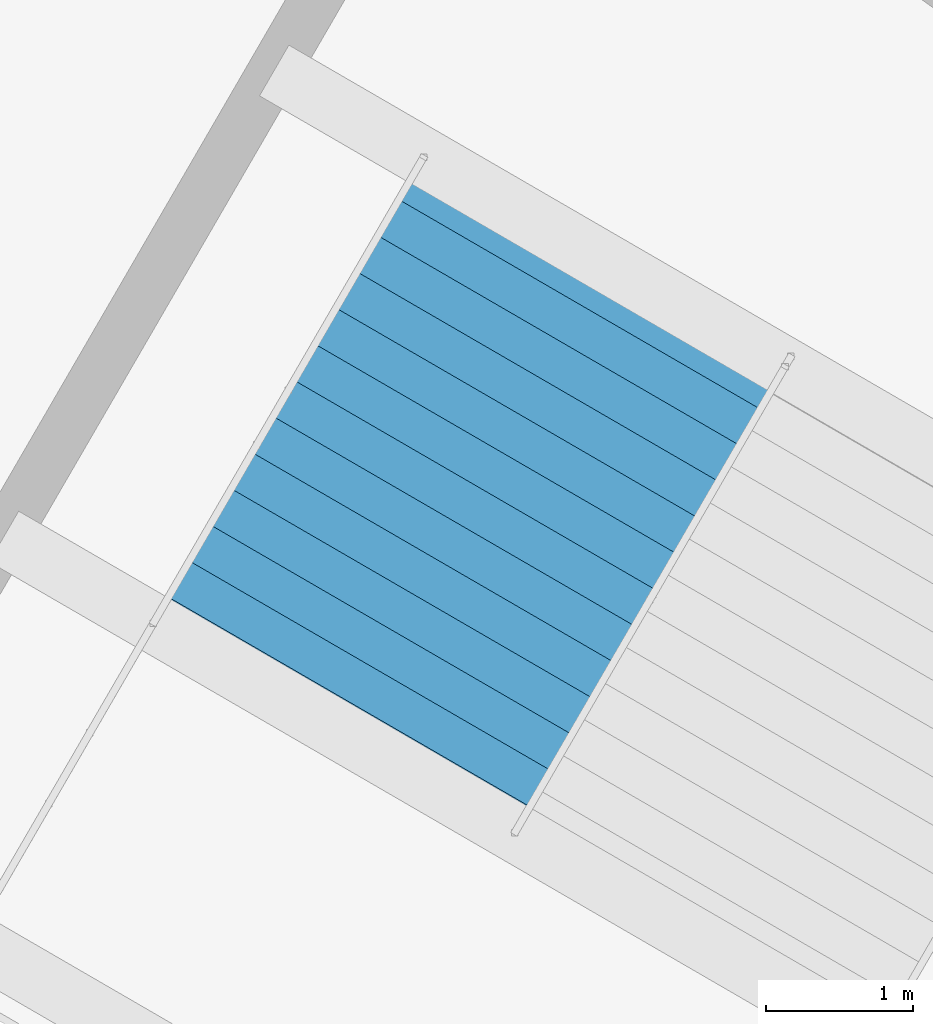
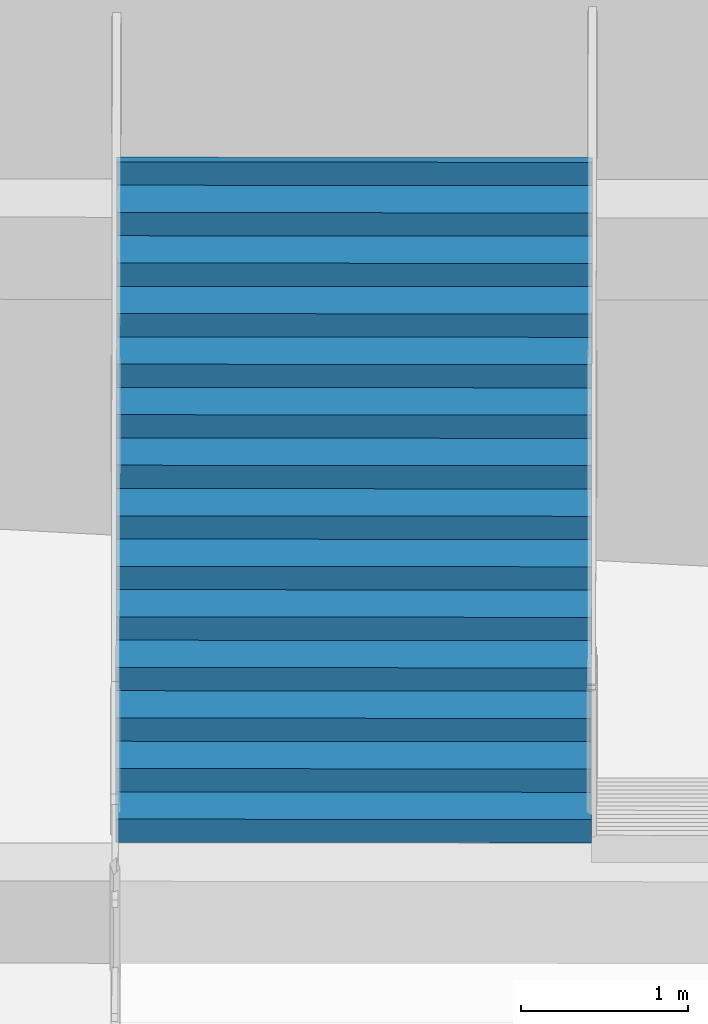
# One storey, part 154 of 171: 1 stair flight, 1 element without a shape of its own.
"""IFC4 building model written with IfcOpenShell, lengths in metres."""

from ifc_helpers import new_model, si_unit, direction, frame, origin, place, context, subcontext, project, spatial, polygons, material, type_object, element, aggregate, save


model = new_model("IFC4")

# Units and contexts
model_context = context("Model", 3, precision=1e-05, world=origin(), true_north=direction((0.0, 1.0)))
body_context = subcontext(model_context, "Body", "Model", "MODEL_VIEW")
ifc_project = project(units=[si_unit("LENGTHUNIT", "METRE"), si_unit("AREAUNIT", "SQUARE_METRE"), si_unit("VOLUMEUNIT", "CUBIC_METRE"), si_unit("PLANEANGLEUNIT", "RADIAN"), si_unit("MASSUNIT", "GRAM", prefix="KILO")], contexts=[model_context])

# Site, building, storey
site_placement = place(None, origin())
site = spatial("IfcSite", under=ifc_project, at=site_placement, CompositionType="ELEMENT")
building_placement = place(site_placement, origin())
building = spatial("IfcBuilding", under=site, at=building_placement, Name="Kazemori Nagisa Stadium", CompositionType="ELEMENT")
storey_placement = place(building_placement, frame((0.0, 0.0, 15.639892578125)))
storey = spatial("IfcBuildingStorey", under=building, at=storey_placement, Name="L03", CompositionType="ELEMENT", Elevation=15.639892578125)

# Stair, stair flight
ifc_material = material(Name="Concrete C36/45 (Fc36)", Category="concrete")
stair_type = type_object("IfcStairType", Name="Stair_CORE_28", PredefinedType="TWO_STRAIGHT_RUN_STAIR", material=ifc_material)
stair_placement = place(storey_placement, origin())
stair = element("IfcStair", 1, at=stair_placement, inside=storey, type_object=stair_type, Name="Exit stair ST08 L03", PredefinedType="TWO_STRAIGHT_RUN_STAIR")
stair_flight_type = type_object("IfcStairFlightType", Name="Flight_CORE_14", PredefinedType="STRAIGHT", material=ifc_material)
stair_flight_placement = place(storey_placement, frame((45.154296875, 148.83642578125, 2.380126953125), z_axis=(0.0, 0.0, 1.0), x_axis=(0.501579038974, 0.86511182379, 0.0)))
stair_flight = element("IfcStairFlight", 2, at=stair_flight_placement, type_object=stair_flight_type, Name="Exit stair ST08 L03 flight 2", NumberOfRisers=14, NumberOfTreads=13, PredefinedType="STRAIGHT", RiserHeight=0.17, TreadLength=0.285, context=body_context, shape_type="Tessellation", body=[
    polygons([(0.0, -1.425048828125, 0.0), (0.0, -1.425048828125, 0.169921875), (0.284912109375, -1.425048828125, 0.169921875), (0.284912109375, -1.425048828125, 0.340087890625), (0.570068359375, -1.425048828125, 0.340087890625), (0.570068359375, -1.425048828125, 0.510009765625), (0.85498046875, -1.425048828125, 0.510009765625), (0.85498046875, -1.425048828125, 0.679931640625), (1.139892578125, -1.425048828125, 0.679931640625), (1.139892578125, -1.425048828125, 0.85009765625), (1.425048828125, -1.425048828125, 0.85009765625), (1.425048828125, -1.425048828125, 1.02001953125), (1.7099609375, -1.425048828125, 1.02001953125), (1.7099609375, -1.425048828125, 1.18994140625), (1.9951171875, -1.425048828125, 1.18994140625), (1.9951171875, -1.425048828125, 1.360107421875), (2.280029296875, -1.425048828125, 1.360107421875), (2.280029296875, -1.425048828125, 1.530029296875), (2.56494140625, -1.425048828125, 1.530029296875), (2.56494140625, -1.425048828125, 1.699951171875), (2.85009765625, -1.425048828125, 1.699951171875), (2.85009765625, -1.425048828125, 1.8701171875), (3.135009765625, -1.425048828125, 1.8701171875), (3.135009765625, -1.425048828125, 2.0400390625), (3.419921875, -1.425048828125, 2.0400390625), (3.419921875, -1.425048828125, 2.2099609375), (3.705078125, -1.425048828125, 2.2099609375), (3.705078125, -1.425048828125, 2.3798828125), (3.7548828125, -1.425048828125, 2.3798828125), (3.7548828125, -1.425048828125, 2.007080078125), (3.705078125, -1.425048828125, 1.977294921875), (3.419921875, -1.425048828125, 1.80712890625), (3.135009765625, -1.425048828125, 1.63720703125), (2.85009765625, -1.425048828125, 1.46728515625), (2.56494140625, -1.425048828125, 1.297119140625), (2.280029296875, -1.425048828125, 1.127197265625), (1.9951171875, -1.425048828125, 0.957275390625), (1.7099609375, -1.425048828125, 0.787109375), (1.425048828125, -1.425048828125, 0.6171875), (1.139892578125, -1.425048828125, 0.447265625), (0.85498046875, -1.425048828125, 0.277099609375), (0.570068359375, -1.425048828125, 0.107177734375), (0.284912109375, -1.425048828125, 0.0), (0.0, -0.08544921875, 0.0), (0.0, -0.08544921875, 0.169921875), (0.284912109375, -0.08544921875, 0.169921875), (0.284912109375, -0.08544921875, 0.340087890625), (0.570068359375, -0.08544921875, 0.340087890625), (0.570068359375, -0.08544921875, 0.510009765625), (0.85498046875, -0.08544921875, 0.510009765625), (0.85498046875, -0.08544921875, 0.679931640625), (1.139892578125, -0.08544921875, 0.679931640625), (1.139892578125, -0.08544921875, 0.85009765625), (1.425048828125, -0.08544921875, 0.85009765625), (1.425048828125, -0.08544921875, 1.02001953125), (1.7099609375, -0.08544921875, 1.02001953125), (1.7099609375, -0.08544921875, 1.18994140625), (1.9951171875, -0.08544921875, 1.18994140625), (1.9951171875, -0.08544921875, 1.360107421875), (2.280029296875, -0.08544921875, 1.360107421875), (2.280029296875, -0.08544921875, 1.530029296875), (2.56494140625, -0.08544921875, 1.530029296875), (2.56494140625, -0.08544921875, 1.699951171875), (2.85009765625, -0.08544921875, 1.699951171875), (2.85009765625, -0.08544921875, 1.8701171875), (3.135009765625, -0.08544921875, 1.8701171875), (3.135009765625, -0.08544921875, 2.0400390625), (3.419921875, -0.08544921875, 2.0400390625), (3.419921875, -0.08544921875, 2.2099609375), (3.705078125, -0.08544921875, 2.2099609375), (3.705078125, -0.08544921875, 2.3798828125), (3.7548828125, -0.08544921875, 2.3798828125), (3.7548828125, -0.08544921875, 2.007080078125), (3.705078125, -0.08544921875, 1.977294921875), (3.419921875, -0.08544921875, 1.80712890625), (3.135009765625, -0.08544921875, 1.63720703125), (2.85009765625, -0.08544921875, 1.46728515625), (2.56494140625, -0.08544921875, 1.297119140625), (2.280029296875, -0.08544921875, 1.127197265625), (1.9951171875, -0.08544921875, 0.957275390625), (1.7099609375, -0.08544921875, 0.787109375), (1.425048828125, -0.08544921875, 0.6171875), (1.139892578125, -0.08544921875, 0.447265625), (0.85498046875, -0.08544921875, 0.277099609375), (0.570068359375, -0.08544921875, 0.107177734375), (0.284912109375, -0.08544921875, 0.0), (0.0, 0.0, 0.0), (0.0, 0.0, 0.169921875), (0.284912109375, 0.0, 0.169921875), (0.284912109375, 0.0, 0.340087890625), (0.570068359375, 0.0, 0.340087890625), (0.570068359375, 0.0, 0.510009765625), (0.85498046875, 0.0, 0.510009765625), (0.85498046875, 0.0, 0.679931640625), (1.139892578125, 0.0, 0.679931640625), (1.139892578125, 0.0, 0.85009765625), (1.425048828125, 0.0, 0.85009765625), (1.425048828125, 0.0, 1.02001953125), (1.7099609375, 0.0, 1.02001953125), (1.7099609375, 0.0, 1.18994140625), (1.9951171875, 0.0, 1.18994140625), (1.9951171875, 0.0, 1.360107421875), (2.280029296875, 0.0, 1.360107421875), (2.280029296875, 0.0, 1.530029296875), (2.56494140625, 0.0, 1.530029296875), (2.56494140625, 0.0, 1.699951171875), (2.85009765625, 0.0, 1.699951171875), (2.85009765625, 0.0, 1.8701171875), (3.135009765625, 0.0, 1.8701171875), (3.135009765625, 0.0, 2.0400390625), (3.419921875, 0.0, 2.0400390625), (3.419921875, 0.0, 2.2099609375), (3.705078125, 0.0, 2.2099609375), (3.705078125, 0.0, 2.3798828125), (3.7548828125, 0.0, 2.3798828125), (3.7548828125, 0.0, 2.007080078125), (3.705078125, 0.0, 1.977294921875), (3.419921875, 0.0, 1.80712890625), (3.135009765625, 0.0, 1.63720703125), (2.85009765625, 0.0, 1.46728515625), (2.56494140625, 0.0, 1.297119140625), (2.280029296875, 0.0, 1.127197265625), (1.9951171875, 0.0, 0.957275390625), (1.7099609375, 0.0, 0.787109375), (1.425048828125, 0.0, 0.6171875), (1.139892578125, 0.0, 0.447265625), (0.85498046875, 0.0, 0.277099609375), (0.570068359375, 0.0, 0.107177734375), (0.284912109375, 0.0, 0.0), (0.0, 0.08544921875, 0.0), (0.0, 0.08544921875, 0.169921875), (0.284912109375, 0.08544921875, 0.169921875), (0.284912109375, 0.08544921875, 0.340087890625), (0.570068359375, 0.08544921875, 0.340087890625), (0.570068359375, 0.08544921875, 0.510009765625), (0.85498046875, 0.08544921875, 0.510009765625), (0.85498046875, 0.08544921875, 0.679931640625), (1.139892578125, 0.08544921875, 0.679931640625), (1.139892578125, 0.08544921875, 0.85009765625), (1.425048828125, 0.08544921875, 0.85009765625), (1.425048828125, 0.08544921875, 1.02001953125), (1.7099609375, 0.08544921875, 1.02001953125), (1.7099609375, 0.08544921875, 1.18994140625), (1.9951171875, 0.08544921875, 1.18994140625), (1.9951171875, 0.08544921875, 1.360107421875), (2.280029296875, 0.08544921875, 1.360107421875), (2.280029296875, 0.08544921875, 1.530029296875), (2.56494140625, 0.08544921875, 1.530029296875), (2.56494140625, 0.08544921875, 1.699951171875), (2.85009765625, 0.08544921875, 1.699951171875), (2.85009765625, 0.08544921875, 1.8701171875), (3.135009765625, 0.08544921875, 1.8701171875), (3.135009765625, 0.08544921875, 2.0400390625), (3.419921875, 0.08544921875, 2.0400390625), (3.419921875, 0.08544921875, 2.2099609375), (3.705078125, 0.08544921875, 2.2099609375), (3.705078125, 0.08544921875, 2.3798828125), (3.7548828125, 0.08544921875, 2.3798828125), (3.7548828125, 0.08544921875, 2.007080078125), (3.705078125, 0.08544921875, 1.977294921875), (3.419921875, 0.08544921875, 1.80712890625), (3.135009765625, 0.08544921875, 1.63720703125), (2.85009765625, 0.08544921875, 1.46728515625), (2.56494140625, 0.08544921875, 1.297119140625), (2.280029296875, 0.08544921875, 1.127197265625), (1.9951171875, 0.08544921875, 0.957275390625), (1.7099609375, 0.08544921875, 0.787109375), (1.425048828125, 0.08544921875, 0.6171875), (1.139892578125, 0.08544921875, 0.447265625), (0.85498046875, 0.08544921875, 0.277099609375), (0.570068359375, 0.08544921875, 0.107177734375), (0.284912109375, 0.08544921875, 0.0), (0.0, 1.425048828125, 0.0), (0.0, 1.425048828125, 0.169921875), (0.284912109375, 1.425048828125, 0.169921875), (0.284912109375, 1.425048828125, 0.340087890625), (0.570068359375, 1.425048828125, 0.340087890625), (0.570068359375, 1.425048828125, 0.510009765625), (0.85498046875, 1.425048828125, 0.510009765625), (0.85498046875, 1.425048828125, 0.679931640625), (1.139892578125, 1.425048828125, 0.679931640625), (1.139892578125, 1.425048828125, 0.85009765625), (1.425048828125, 1.425048828125, 0.85009765625), (1.425048828125, 1.425048828125, 1.02001953125), (1.7099609375, 1.425048828125, 1.02001953125), (1.7099609375, 1.425048828125, 1.18994140625), (1.9951171875, 1.425048828125, 1.18994140625), (1.9951171875, 1.425048828125, 1.360107421875), (2.280029296875, 1.425048828125, 1.360107421875), (2.280029296875, 1.425048828125, 1.530029296875), (2.56494140625, 1.425048828125, 1.530029296875), (2.56494140625, 1.425048828125, 1.699951171875), (2.85009765625, 1.425048828125, 1.699951171875), (2.85009765625, 1.425048828125, 1.8701171875), (3.135009765625, 1.425048828125, 1.8701171875), (3.135009765625, 1.425048828125, 2.0400390625), (3.419921875, 1.425048828125, 2.0400390625), (3.419921875, 1.425048828125, 2.2099609375), (3.705078125, 1.425048828125, 2.2099609375), (3.705078125, 1.425048828125, 2.3798828125), (3.7548828125, 1.425048828125, 2.3798828125), (3.7548828125, 1.425048828125, 2.007080078125), (3.705078125, 1.425048828125, 1.977294921875), (3.419921875, 1.425048828125, 1.80712890625), (3.135009765625, 1.425048828125, 1.63720703125), (2.85009765625, 1.425048828125, 1.46728515625), (2.56494140625, 1.425048828125, 1.297119140625), (2.280029296875, 1.425048828125, 1.127197265625), (1.9951171875, 1.425048828125, 0.957275390625), (1.7099609375, 1.425048828125, 0.787109375), (1.425048828125, 1.425048828125, 0.6171875), (1.139892578125, 1.425048828125, 0.447265625), (0.85498046875, 1.425048828125, 0.277099609375), (0.570068359375, 1.425048828125, 0.107177734375), (0.284912109375, 1.425048828125, 0.0)], [[[1, 2, 45]], [[1, 45, 44]], [[2, 3, 46]], [[2, 46, 45]], [[3, 4, 47]], [[3, 47, 46]], [[4, 5, 48]], [[4, 48, 47]], [[5, 6, 49]], [[5, 49, 48]], [[6, 7, 50]], [[6, 50, 49]], [[7, 8, 51]], [[7, 51, 50]], [[8, 9, 52]], [[8, 52, 51]], [[9, 10, 53]], [[9, 53, 52]], [[10, 11, 54]], [[10, 54, 53]], [[11, 12, 55]], [[11, 55, 54]], [[12, 13, 56]], [[12, 56, 55]], [[13, 14, 57]], [[13, 57, 56]], [[14, 15, 58]], [[14, 58, 57]], [[15, 16, 59]], [[15, 59, 58]], [[16, 17, 60]], [[16, 60, 59]], [[17, 18, 61]], [[17, 61, 60]], [[18, 19, 62]], [[18, 62, 61]], [[19, 20, 63]], [[19, 63, 62]], [[20, 21, 64]], [[20, 64, 63]], [[21, 22, 65]], [[21, 65, 64]], [[22, 23, 66]], [[22, 66, 65]], [[23, 24, 67]], [[23, 67, 66]], [[24, 25, 68]], [[24, 68, 67]], [[25, 26, 69]], [[25, 69, 68]], [[26, 27, 70]], [[26, 70, 69]], [[27, 28, 71]], [[27, 71, 70]], [[28, 29, 72]], [[28, 72, 71]], [[29, 30, 73]], [[29, 73, 72]], [[30, 31, 74]], [[30, 74, 73]], [[31, 32, 75]], [[31, 75, 74]], [[32, 33, 76]], [[32, 76, 75]], [[33, 34, 77]], [[33, 77, 76]], [[34, 35, 78]], [[34, 78, 77]], [[35, 36, 79]], [[35, 79, 78]], [[36, 37, 80]], [[36, 80, 79]], [[37, 38, 81]], [[37, 81, 80]], [[38, 39, 82]], [[38, 82, 81]], [[39, 40, 83]], [[39, 83, 82]], [[40, 41, 84]], [[40, 84, 83]], [[41, 42, 85]], [[41, 85, 84]], [[42, 43, 86]], [[42, 86, 85]], [[43, 1, 44]], [[43, 44, 86]], [[44, 45, 88]], [[44, 88, 87]], [[45, 46, 89]], [[45, 89, 88]], [[46, 47, 90]], [[46, 90, 89]], [[47, 48, 91]], [[47, 91, 90]], [[48, 49, 92]], [[48, 92, 91]], [[49, 50, 93]], [[49, 93, 92]], [[50, 51, 94]], [[50, 94, 93]], [[51, 52, 95]], [[51, 95, 94]], [[52, 53, 96]], [[52, 96, 95]], [[53, 54, 97]], [[53, 97, 96]], [[54, 55, 98]], [[54, 98, 97]], [[55, 56, 99]], [[55, 99, 98]], [[56, 57, 100]], [[56, 100, 99]], [[57, 58, 101]], [[57, 101, 100]], [[58, 59, 102]], [[58, 102, 101]], [[59, 60, 103]], [[59, 103, 102]], [[60, 61, 104]], [[60, 104, 103]], [[61, 62, 105]], [[61, 105, 104]], [[62, 63, 106]], [[62, 106, 105]], [[63, 64, 107]], [[63, 107, 106]], [[64, 65, 108]], [[64, 108, 107]], [[65, 66, 109]], [[65, 109, 108]], [[66, 67, 110]], [[66, 110, 109]], [[67, 68, 111]], [[67, 111, 110]], [[68, 69, 112]], [[68, 112, 111]], [[69, 70, 113]], [[69, 113, 112]], [[70, 71, 114]], [[70, 114, 113]], [[71, 72, 115]], [[71, 115, 114]], [[72, 73, 116]], [[72, 116, 115]], [[73, 74, 117]], [[73, 117, 116]], [[74, 75, 118]], [[74, 118, 117]], [[75, 76, 119]], [[75, 119, 118]], [[76, 77, 120]], [[76, 120, 119]], [[77, 78, 121]], [[77, 121, 120]], [[78, 79, 122]], [[78, 122, 121]], [[79, 80, 123]], [[79, 123, 122]], [[80, 81, 124]], [[80, 124, 123]], [[81, 82, 125]], [[81, 125, 124]], [[82, 83, 126]], [[82, 126, 125]], [[83, 84, 127]], [[83, 127, 126]], [[84, 85, 128]], [[84, 128, 127]], [[85, 86, 129]], [[85, 129, 128]], [[86, 44, 87]], [[86, 87, 129]], [[87, 88, 131]], [[87, 131, 130]], [[88, 89, 132]], [[88, 132, 131]], [[89, 90, 133]], [[89, 133, 132]], [[90, 91, 134]], [[90, 134, 133]], [[91, 92, 135]], [[91, 135, 134]], [[92, 93, 136]], [[92, 136, 135]], [[93, 94, 137]], [[93, 137, 136]], [[94, 95, 138]], [[94, 138, 137]], [[95, 96, 139]], [[95, 139, 138]], [[96, 97, 140]], [[96, 140, 139]], [[97, 98, 141]], [[97, 141, 140]], [[98, 99, 142]], [[98, 142, 141]], [[99, 100, 143]], [[99, 143, 142]], [[100, 101, 144]], [[100, 144, 143]], [[101, 102, 145]], [[101, 145, 144]], [[102, 103, 146]], [[102, 146, 145]], [[103, 104, 147]], [[103, 147, 146]], [[104, 105, 148]], [[104, 148, 147]], [[105, 106, 149]], [[105, 149, 148]], [[106, 107, 150]], [[106, 150, 149]], [[107, 108, 151]], [[107, 151, 150]], [[108, 109, 152]], [[108, 152, 151]], [[109, 110, 153]], [[109, 153, 152]], [[110, 111, 154]], [[110, 154, 153]], [[111, 112, 155]], [[111, 155, 154]], [[112, 113, 156]], [[112, 156, 155]], [[113, 114, 157]], [[113, 157, 156]], [[114, 115, 158]], [[114, 158, 157]], [[115, 116, 159]], [[115, 159, 158]], [[116, 117, 160]], [[116, 160, 159]], [[117, 118, 161]], [[117, 161, 160]], [[118, 119, 162]], [[118, 162, 161]], [[119, 120, 163]], [[119, 163, 162]], [[120, 121, 164]], [[120, 164, 163]], [[121, 122, 165]], [[121, 165, 164]], [[122, 123, 166]], [[122, 166, 165]], [[123, 124, 167]], [[123, 167, 166]], [[124, 125, 168]], [[124, 168, 167]], [[125, 126, 169]], [[125, 169, 168]], [[126, 127, 170]], [[126, 170, 169]], [[127, 128, 171]], [[127, 171, 170]], [[128, 129, 172]], [[128, 172, 171]], [[129, 87, 130]], [[129, 130, 172]], [[130, 131, 174]], [[130, 174, 173]], [[131, 132, 175]], [[131, 175, 174]], [[132, 133, 176]], [[132, 176, 175]], [[133, 134, 177]], [[133, 177, 176]], [[134, 135, 178]], [[134, 178, 177]], [[135, 136, 179]], [[135, 179, 178]], [[136, 137, 180]], [[136, 180, 179]], [[137, 138, 181]], [[137, 181, 180]], [[138, 139, 182]], [[138, 182, 181]], [[139, 140, 183]], [[139, 183, 182]], [[140, 141, 184]], [[140, 184, 183]], [[141, 142, 185]], [[141, 185, 184]], [[142, 143, 186]], [[142, 186, 185]], [[143, 144, 187]], [[143, 187, 186]], [[144, 145, 188]], [[144, 188, 187]], [[145, 146, 189]], [[145, 189, 188]], [[146, 147, 190]], [[146, 190, 189]], [[147, 148, 191]], [[147, 191, 190]], [[148, 149, 192]], [[148, 192, 191]], [[149, 150, 193]], [[149, 193, 192]], [[150, 151, 194]], [[150, 194, 193]], [[151, 152, 195]], [[151, 195, 194]], [[152, 153, 196]], [[152, 196, 195]], [[153, 154, 197]], [[153, 197, 196]], [[154, 155, 198]], [[154, 198, 197]], [[155, 156, 199]], [[155, 199, 198]], [[156, 157, 200]], [[156, 200, 199]], [[157, 158, 201]], [[157, 201, 200]], [[158, 159, 202]], [[158, 202, 201]], [[159, 160, 203]], [[159, 203, 202]], [[160, 161, 204]], [[160, 204, 203]], [[161, 162, 205]], [[161, 205, 204]], [[162, 163, 206]], [[162, 206, 205]], [[163, 164, 207]], [[163, 207, 206]], [[164, 165, 208]], [[164, 208, 207]], [[165, 166, 209]], [[165, 209, 208]], [[166, 167, 210]], [[166, 210, 209]], [[167, 168, 211]], [[167, 211, 210]], [[168, 169, 212]], [[168, 212, 211]], [[169, 170, 213]], [[169, 213, 212]], [[170, 171, 214]], [[170, 214, 213]], [[171, 172, 215]], [[171, 215, 214]], [[172, 130, 173]], [[172, 173, 215]], [[3, 2, 1]], [[173, 174, 175]], [[43, 3, 1]], [[173, 175, 215]], [[42, 3, 43]], [[215, 175, 214]], [[5, 3, 42]], [[214, 175, 177]], [[5, 4, 3]], [[175, 176, 177]], [[41, 5, 42]], [[214, 177, 213]], [[7, 5, 41]], [[213, 177, 179]], [[7, 6, 5]], [[177, 178, 179]], [[40, 7, 41]], [[213, 179, 212]], [[9, 7, 40]], [[212, 179, 181]], [[9, 8, 7]], [[179, 180, 181]], [[39, 9, 40]], [[212, 181, 211]], [[11, 9, 39]], [[211, 181, 183]], [[11, 10, 9]], [[181, 182, 183]], [[38, 11, 39]], [[211, 183, 210]], [[13, 11, 38]], [[210, 183, 185]], [[13, 12, 11]], [[183, 184, 185]], [[37, 13, 38]], [[210, 185, 209]], [[15, 13, 37]], [[209, 185, 187]], [[15, 14, 13]], [[185, 186, 187]], [[36, 15, 37]], [[209, 187, 208]], [[17, 15, 36]], [[208, 187, 189]], [[17, 16, 15]], [[187, 188, 189]], [[35, 17, 36]], [[208, 189, 207]], [[19, 17, 35]], [[207, 189, 191]], [[19, 18, 17]], [[189, 190, 191]], [[34, 19, 35]], [[207, 191, 206]], [[21, 19, 34]], [[206, 191, 193]], [[21, 20, 19]], [[191, 192, 193]], [[33, 21, 34]], [[206, 193, 205]], [[23, 21, 33]], [[205, 193, 195]], [[23, 22, 21]], [[193, 194, 195]], [[32, 23, 33]], [[205, 195, 204]], [[25, 23, 32]], [[204, 195, 197]], [[25, 24, 23]], [[195, 196, 197]], [[31, 25, 32]], [[204, 197, 203]], [[27, 25, 31]], [[203, 197, 199]], [[27, 26, 25]], [[197, 198, 199]], [[30, 27, 31]], [[203, 199, 202]], [[29, 27, 30]], [[202, 199, 201]], [[29, 28, 27]], [[199, 200, 201]]], closed=True),
])
aggregate(stair, [stair_flight])

save(model, "model.ifc")
